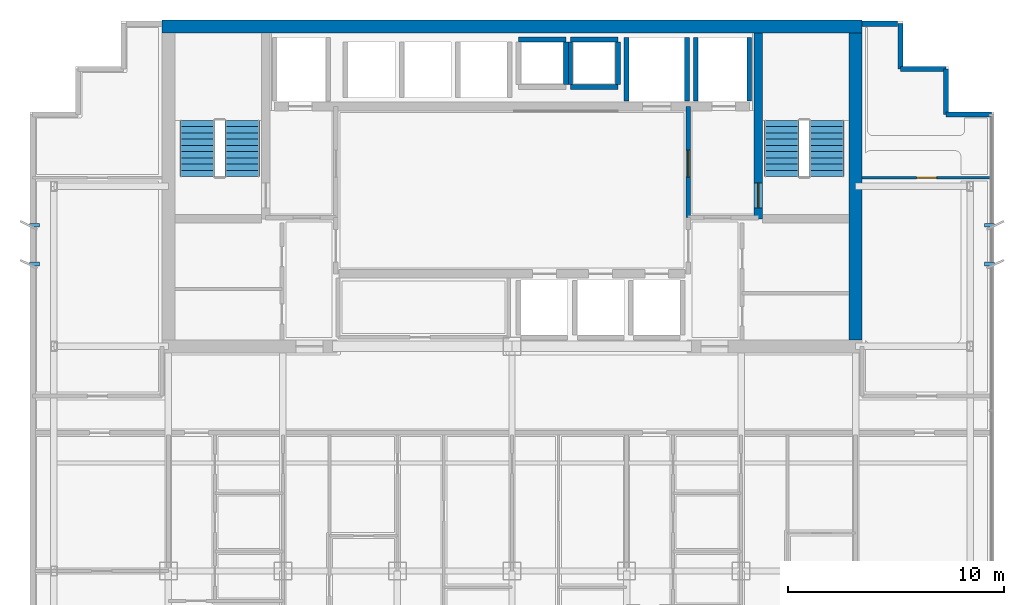
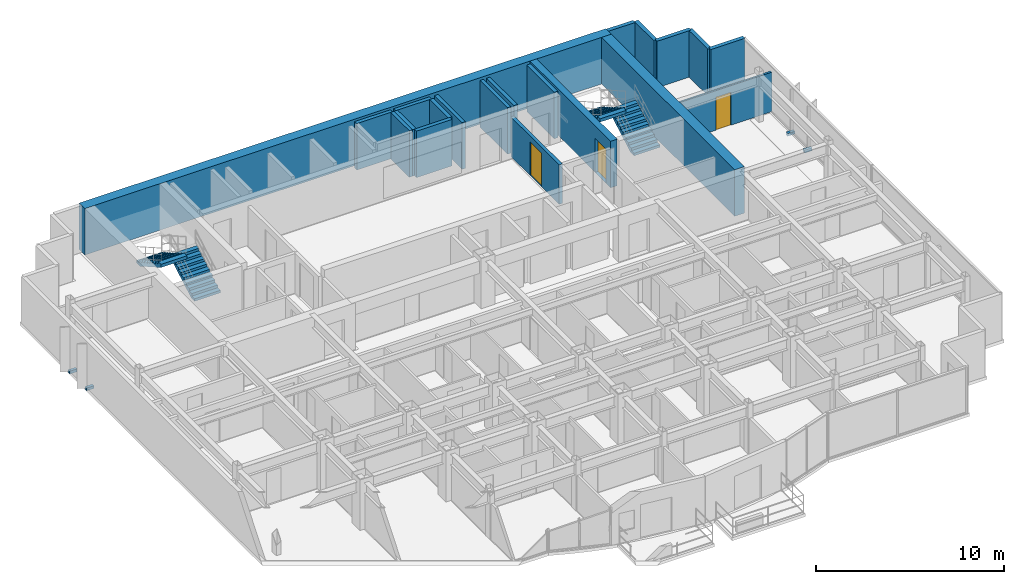
# One storey, part 11 of 13: 20 walls, 4 discrete accessories, 4 stair flights, 3 doors, 3 openings, 2 elements without a shape of their own.
"""IFC4 building model written with IfcOpenShell, lengths in metres."""

from ifc_helpers import new_model, si_unit, direction, frame, frame_2d, origin, origin_2d, place, context, subcontext, project, spatial, polyline, rectangle, outline, extrude, source, transform, mapped, material, layer, layer_set, type_object, element, fill, aggregate, save


model = new_model("IFC4")

# Units and contexts
model_context = context("Model", 3, precision=1e-05, world=origin(), true_north=direction((0.0, 1.0)))
body_context = subcontext(model_context, "Body", "Model", "MODEL_VIEW")
ifc_project = project(units=[si_unit("LENGTHUNIT", "METRE"), si_unit("AREAUNIT", "SQUARE_METRE"), si_unit("VOLUMEUNIT", "CUBIC_METRE"), si_unit("PLANEANGLEUNIT", "RADIAN"), si_unit("MASSUNIT", "GRAM", prefix="KILO")], contexts=[model_context])

# Site, building, storey
site_placement = place(None, origin())
site = spatial("IfcSite", under=ifc_project, at=site_placement, CompositionType="ELEMENT")
building_placement = place(site_placement, origin())
building = spatial("IfcBuilding", under=site, at=building_placement, Name="Qianlan Lanfeng Residences", CompositionType="ELEMENT")
storey_placement = place(building_placement, frame((0.0, 0.0, 182.10009765625)))
storey = spatial("IfcBuildingStorey", under=building, at=storey_placement, Name="L50", CompositionType="ELEMENT", Elevation=182.10009765625)

# Wall, opening, door
ifc_material_1 = material(Name="Concrete C56", Category="concrete")
ifc_layer_1 = layer(ifc_material_1, 0.39990234375)
ifc_layer_set_1 = layer_set([ifc_layer_1], Name="Concrete C56")
wall_type_1 = type_object("IfcWallType", Name="CW-RC-400", PredefinedType="SHEAR", material=ifc_layer_set_1)
wall_1_placement = place(storey_placement, frame((37.89990234375, 31.10009765625, 0.0), z_axis=(0.0, 0.0, 1.0), x_axis=(0.0, 1.0, 0.0)))
wall_1 = element("IfcWall", 1, at=wall_1_placement, inside=storey, type_object=wall_type_1, Name="L50 Core Shear Wall ST2W", PredefinedType="SHEAR", context=body_context, shape_type="SweptSolid", body=[
    extrude(rectangle(XDim=8.599853515625, YDim=0.39990234375, at=frame_2d((4.2998046875, 0.0))), origin(), (0.0, 0.0, 1.0), 3.02978515625),
])
opening_1_placement = place(wall_1_placement, frame((0.510009765625, 0.0, 0.0)))
opening_1 = element("IfcOpeningElement", 2, at=opening_1_placement, cuts=wall_1, Name="Opening L50-D08", PredefinedType="OPENING", context=body_context, shape_type="SweptSolid", body=[
    extrude(rectangle(XDim=1.14990234375, YDim=2.199951171875, at=frame_2d((0.574951171875, 1.10009765625))), frame((0.0, 0.2099609375, 0.0), z_axis=(0.0, -1.0, 0.0), x_axis=(1.0, 0.0, 0.0)), (0.0, 0.0, 1.0), 0.419921875),
])
ifc_material_2 = material(Name="Painted Galvanised Steel Fire Door", Category="steel")
door_type_1 = type_object("IfcDoorType", Name="DT-ST1", OperationType="NOTDEFINED", PredefinedType="DOOR", material=ifc_material_2)
door_1_placement = place(opening_1_placement, origin())
door_1 = element("IfcDoor", 3, at=door_1_placement, inside=storey, type_object=door_type_1, Name="L50 Exit Stair ST-2 Door L50-D08 (DT-ST1)", OperationType="SINGLE_SWING_RIGHT", OverallHeight=2.199951171875, OverallWidth=1.14990234375, PredefinedType="DOOR", context=body_context, shape_type="SweptSolid", body=[
    extrude(rectangle(XDim=1.14990234375, YDim=2.199951171875, at=frame_2d((0.574951171875, 1.10009765625))), frame((0.0, 0.02490234375, 0.0), z_axis=(0.0, -1.0, 0.0), x_axis=(1.0, 0.0, 0.0)), (0.0, 0.0, 1.0), 0.050048828125),
])
fill(opening_1, door_1)

# Walls
ifc_layer_2 = layer(ifc_material_1, 0.60009765625)
ifc_layer_set_2 = layer_set([ifc_layer_2], Name="Concrete C56")
wall_type_2 = type_object("IfcWallType", Name="CW-RC-600", PredefinedType="SHEAR", material=ifc_layer_set_2)
wall_2_placement = place(storey_placement, frame((10.300048828125, 40.0, 0.0), z_axis=(0.0, 0.0, 1.0), x_axis=(1.0, 0.0, 0.0)))
element("IfcWall", 4, at=wall_2_placement, inside=storey, type_object=wall_type_2, Name="L50 Core Shear Wall N", PredefinedType="SHEAR", context=body_context, shape_type="SweptSolid", body=[
    extrude(rectangle(XDim=32.39990234375, YDim=0.60009765625, at=frame_2d((16.199951171875, 0.0))), origin(), (0.0, 0.0, 1.0), 3.02978515625),
])
wall_3_placement = place(storey_placement, frame((42.39990234375, 25.5, 0.0), z_axis=(0.0, 0.0, 1.0), x_axis=(0.0, 1.0, 0.0)))
element("IfcWall", 5, at=wall_3_placement, inside=storey, type_object=wall_type_2, Name="L50 Core Shear Wall E", PredefinedType="SHEAR", context=body_context, shape_type="SweptSolid", body=[
    extrude(rectangle(XDim=14.199951171875, YDim=0.60009765625, at=frame_2d((7.10009765625, 0.0))), origin(), (0.0, 0.0, 1.0), 3.02978515625),
])
ifc_material_3 = material(Name="Concrete C42", Category="concrete")
ifc_layer_3 = layer(ifc_material_3, 0.239990234375)
ifc_layer_set_3 = layer_set([ifc_layer_3], Name="Concrete C42")
wall_type_3 = type_object("IfcWallType", Name="EW-240", PredefinedType="SOLIDWALL", material=ifc_layer_set_3)
wall_4_placement = place(storey_placement, frame((48.679931640625, 35.929931640625, 0.0), z_axis=(0.0, 0.0, 1.0), x_axis=(-1.0, 0.0, 0.0)))
element("IfcWall", 6, at=wall_4_placement, inside=storey, type_object=wall_type_3, Name="L50 Exterior Facade Spandrel Wall 11", PredefinedType="SOLIDWALL", context=body_context, shape_type="SweptSolid", body=[
    extrude(rectangle(XDim=2.099853515625, YDim=0.239990234375, at=frame_2d((1.0498046875, 0.0))), origin(), (0.0, 0.0, 1.0), 3.02978515625),
])
for number, where, z_axis, x_axis, name in (
    (7, (46.580078125, 35.929931640625, 0.0), (0.0, 0.0, 1.0), (0.0, 1.0, 0.0), "L50 Exterior Facade Spandrel Wall 12"),
    (8, (46.580078125, 38.030029296875, 0.0), (0.0, 0.0, 1.0), (-1.0, 0.0, 0.0), "L50 Exterior Facade Spandrel Wall 13"),
):
    element("IfcWall", number, at=place(storey_placement, frame(where, z_axis=z_axis, x_axis=x_axis)), inside=storey, type_object=wall_type_3, Name=name, PredefinedType="SOLIDWALL", context=body_context, shape_type="SweptSolid", body=[
        extrude(rectangle(XDim=2.10009765625, YDim=0.239990234375, at=frame_2d((1.050048828125, 0.0))), origin(), (0.0, 0.0, 1.0), 3.02978515625),
    ])
wall_5_placement = place(storey_placement, frame((44.47998046875, 38.030029296875, 0.0), z_axis=(0.0, 0.0, 1.0), x_axis=(0.0, 1.0, 0.0)))
element("IfcWall", 9, at=wall_5_placement, inside=storey, type_object=wall_type_3, Name="L50 Exterior Facade Spandrel Wall 14", PredefinedType="SOLIDWALL", context=body_context, shape_type="SweptSolid", body=[
    extrude(rectangle(XDim=2.099853515625, YDim=0.239990234375, at=frame_2d((1.0498046875, 0.0))), origin(), (0.0, 0.0, 1.0), 3.02978515625),
])
wall_6_placement = place(storey_placement, frame((44.35009765625, 40.1298828125, 0.0), z_axis=(0.0, 0.0, 1.0), x_axis=(-1.0, 0.0, 0.0)))
element("IfcWall", 10, at=wall_6_placement, inside=storey, type_object=wall_type_3, Name="L50 North Wing Exterior Wall E", PredefinedType="SOLIDWALL", context=body_context, shape_type="SweptSolid", body=[
    extrude(rectangle(XDim=1.650146484375, YDim=0.239990234375, at=frame_2d((0.8251953125, 0.0))), origin(), (0.0, 0.0, 1.0), 3.02978515625),
])

# Wall, opening, door
ifc_material_4 = material(Name="Moisture-Resistant Gypsum Partition 135 mm")
ifc_layer_4 = layer(ifc_material_4, 0.135009765625)
ifc_layer_set_4 = layer_set([ifc_layer_4], Name="Moisture-Resistant Gypsum Partition 135 mm")
wall_type_4 = type_object("IfcWallType", Name="PW-135", PredefinedType="PARTITIONING", material=ifc_layer_set_4)
wall_7_placement = place(storey_placement, frame((42.699951171875, 33.0, 0.0), z_axis=(0.0, 0.0, 1.0), x_axis=(1.0, 0.0, 0.0)))
wall_7 = element("IfcWall", 11, at=wall_7_placement, inside=storey, type_object=wall_type_4, Name="L50 EW North Wing Wall", PredefinedType="PARTITIONING", context=body_context, shape_type="SweptSolid", body=[
    extrude(rectangle(XDim=5.97998046875, YDim=0.135009765625, at=frame_2d((2.989990234375, 0.0))), origin(), (0.0, 0.0, 1.0), 2.56982421875),
])
opening_2_placement = place(wall_7_placement, frame((2.530029296875, 0.0, 0.0)))
opening_2 = element("IfcOpeningElement", 12, at=opening_2_placement, cuts=wall_7, Name="Opening L50-D50", PredefinedType="OPENING", context=body_context, shape_type="SweptSolid", body=[
    extrude(rectangle(XDim=0.919921875, YDim=2.14990234375, at=frame_2d((0.4599609375, 1.074951171875))), frame((0.0, 0.07763671875, 0.0), z_axis=(0.0, -1.0, 0.0), x_axis=(1.0, 0.0, 0.0)), (0.0, 0.0, 1.0), 0.155029296875),
])
ifc_material_5 = material(Name="Glazed Timber Kitchen/Study Door", Category="wood")
door_type_2 = type_object("IfcDoorType", Name="DT-INT", OperationType="NOTDEFINED", PredefinedType="DOOR", material=ifc_material_5)
door_2_placement = place(opening_2_placement, origin())
door_2 = element("IfcDoor", 13, at=door_2_placement, inside=storey, type_object=door_type_2, Name="L50 EW Inner Salon Door L50-D50 (DT-INT)", OperationType="SINGLE_SWING_LEFT", OverallHeight=2.14990234375, OverallWidth=0.919921875, PredefinedType="DOOR", context=body_context, shape_type="SweptSolid", body=[
    extrude(rectangle(XDim=0.919921875, YDim=2.14990234375, at=frame_2d((0.4599609375, 1.074951171875))), frame((0.0, 0.02490234375, 0.0), z_axis=(0.0, -1.0, 0.0), x_axis=(1.0, 0.0, 0.0)), (0.0, 0.0, 1.0), 0.050048828125),
])
fill(opening_2, door_2)

ifc_material_6 = material(Name="Autoclaved Aerated Concrete Blockwork 200 mm", Category="masonry")
ifc_layer_5 = layer(ifc_material_6, 0.199951171875)
ifc_layer_set_5 = layer_set([ifc_layer_5], Name="Autoclaved Aerated Concrete Blockwork 200 mm")
wall_type_5 = type_object("IfcWallType", Name="PW-200", PredefinedType="PARTITIONING", material=ifc_layer_set_5)
wall_8_placement = place(storey_placement, frame((34.64990234375, 31.14990234375, 0.0), z_axis=(0.0, 0.0, 1.0), x_axis=(0.0, 1.0, 0.0)))
wall_8 = element("IfcWall", 14, at=wall_8_placement, inside=storey, type_object=wall_type_5, Name="L50 Firefighting Lobby 2 West Wall", PredefinedType="PARTITIONING", context=body_context, shape_type="SweptSolid", body=[
    extrude(rectangle(XDim=5.150146484375, YDim=0.199951171875, at=frame_2d((2.5751953125, 0.0))), origin(), (0.0, 0.0, 1.0), 2.56982421875),
])
opening_3_placement = place(wall_8_placement, frame((1.875, 0.0, 0.0)))
opening_3 = element("IfcOpeningElement", 15, at=opening_3_placement, cuts=wall_8, Name="Opening L50-D06", PredefinedType="OPENING", context=body_context, shape_type="SweptSolid", body=[
    extrude(rectangle(XDim=1.25, YDim=2.199951171875, at=frame_2d((0.625, 1.10009765625))), frame((0.0, 0.10986328125, 0.0), z_axis=(0.0, -1.0, 0.0), x_axis=(1.0, 0.0, 0.0)), (0.0, 0.0, 1.0), 0.219970703125),
])
door_type_3 = type_object("IfcDoorType", Name="DT-FFL", OperationType="NOTDEFINED", PredefinedType="DOOR", material=ifc_material_2)
door_3_placement = place(opening_3_placement, origin())
door_3 = element("IfcDoor", 16, at=door_3_placement, inside=storey, type_object=door_type_3, Name="L50 Firefighting Lobby 2 Lift Lobby Door L50-D06 (DT-FFL)", OperationType="SINGLE_SWING_LEFT", OverallHeight=2.199951171875, OverallWidth=1.25, PredefinedType="DOOR", context=body_context, shape_type="SweptSolid", body=[
    extrude(rectangle(XDim=1.25, YDim=2.199951171875, at=frame_2d((0.625, 1.10009765625))), frame((0.0, 0.02490234375, 0.0), z_axis=(0.0, -1.0, 0.0), x_axis=(1.0, 0.0, 0.0)), (0.0, 0.0, 1.0), 0.050048828125),
])
fill(opening_3, door_3)

# Walls
ifc_material_7 = material(Name="Concrete C49", Category="concrete")
ifc_layer_6 = layer(ifc_material_7, 0.219970703125)
ifc_layer_set_6 = layer_set([ifc_layer_6], Name="Concrete C49")
wall_type_6 = type_object("IfcWallType", Name="SHW-220", PredefinedType="SOLIDWALL", material=ifc_layer_set_6)
for number, where, z_axis, x_axis, name in (
    (17, (35.0, 36.550048828125, 0.0), (0.0, 0.0, 1.0), (0.0, 1.0, 0.0), "L50 Lift FFL-2 Shaft Wall W"),
    (18, (37.47998046875, 36.550048828125, 0.0), (0.0, 0.0, 1.0), (0.0, 1.0, 0.0), "L50 Lift FFL-2 Shaft Wall E"),
    (19, (31.800048828125, 36.550048828125, 0.0), (0.0, 0.0, 1.0), (0.0, 1.0, 0.0), "L50 Lift SVL-1 Shaft Wall W"),
    (20, (34.60009765625, 36.550048828125, 0.0), (0.0, 0.0, 1.0), (0.0, 1.0, 0.0), "L50 Lift SVL-1 Shaft Wall E"),
):
    element("IfcWall", number, at=place(storey_placement, frame(where, z_axis=z_axis, x_axis=x_axis)), inside=storey, type_object=wall_type_6, Name=name, PredefinedType="SOLIDWALL", context=body_context, shape_type="SweptSolid", body=[
        extrude(rectangle(XDim=2.929931640625, YDim=0.219970703125, at=frame_2d((1.46484375, 0.0))), origin(), (0.0, 0.0, 1.0), 3.02978515625),
    ])
wall_9_placement = place(storey_placement, frame((29.0, 37.31005859375, 0.0), z_axis=(0.0, 0.0, 1.0), x_axis=(0.0, 1.0, 0.0)))
element("IfcWall", 21, at=wall_9_placement, inside=storey, type_object=wall_type_6, Name="L50 MEP Riser MEP-R1 Shaft Wall E", PredefinedType="SOLIDWALL", context=body_context, shape_type="SweptSolid", body=[
    extrude(rectangle(XDim=1.97998046875, YDim=0.219970703125, at=frame_2d((0.989990234375, 0.0))), origin(), (0.0, 0.0, 1.0), 3.02978515625),
])
wall_10_placement = place(storey_placement, frame((26.800048828125, 39.39990234375, 0.0), z_axis=(0.0, 0.0, 1.0), x_axis=(1.0, 0.0, 0.0)))
element("IfcWall", 22, at=wall_10_placement, inside=storey, type_object=wall_type_6, Name="L50 MEP Riser MEP-R1 Shaft Wall N", PredefinedType="SOLIDWALL", context=body_context, shape_type="SweptSolid", body=[
    extrude(rectangle(XDim=2.199951171875, YDim=0.219970703125, at=frame_2d((1.10009765625, 0.0))), origin(), (0.0, 0.0, 1.0), 3.02978515625),
])
for number, where, z_axis, x_axis, name in (
    (23, (29.199951171875, 37.31005859375, 0.0), (0.0, 0.0, 1.0), (0.0, 1.0, 0.0), "L50 MEP Riser MEP-R2 Shaft Wall W"),
    (24, (31.39990234375, 37.31005859375, 0.0), (0.0, 0.0, 1.0), (0.0, 1.0, 0.0), "L50 MEP Riser MEP-R2 Shaft Wall E"),
):
    element("IfcWall", number, at=place(storey_placement, frame(where, z_axis=z_axis, x_axis=x_axis)), inside=storey, type_object=wall_type_6, Name=name, PredefinedType="SOLIDWALL", context=body_context, shape_type="SweptSolid", body=[
        extrude(rectangle(XDim=1.97998046875, YDim=0.219970703125, at=frame_2d((0.989990234375, 0.0))), origin(), (0.0, 0.0, 1.0), 3.02978515625),
    ])
for number, where, z_axis, x_axis, name in (
    (25, (29.199951171875, 39.39990234375, 0.0), (0.0, 0.0, 1.0), (1.0, 0.0, 0.0), "L50 MEP Riser MEP-R2 Shaft Wall N"),
    (26, (29.199951171875, 37.199951171875, 0.0), (0.0, 0.0, 1.0), (1.0, 0.0, 0.0), "L50 MEP Riser MEP-R2 Shaft Wall S"),
):
    element("IfcWall", number, at=place(storey_placement, frame(where, z_axis=z_axis, x_axis=x_axis)), inside=storey, type_object=wall_type_6, Name=name, PredefinedType="SOLIDWALL", context=body_context, shape_type="SweptSolid", body=[
        extrude(rectangle(XDim=2.199951171875, YDim=0.219970703125, at=frame_2d((1.10009765625, 0.0))), origin(), (0.0, 0.0, 1.0), 3.02978515625),
    ])

# Stair, stair flights
stair_type = type_object("IfcStairType", Name="STR-MAIN", PredefinedType="HALF_TURN_STAIR", material=ifc_material_3)
stair_1_placement = place(storey_placement, origin())
stair_1 = element("IfcStair", 27, at=stair_1_placement, inside=storey, type_object=stair_type, Name="L50 Exit Stair ST-1", PredefinedType="HALF_TURN_STAIR")
stair_flight_type = type_object("IfcStairFlightType", Name="FLT-1720", PredefinedType="STRAIGHT", material=ifc_material_3)
stair_flight_1_placement = place(storey_placement, frame((14.02001953125, 33.050048828125, 0.0), z_axis=(0.0, 0.0, 1.0), x_axis=(0.0, 1.0, 0.0)))
stair_flight_1 = element("IfcStairFlight", 28, at=stair_flight_1_placement, type_object=stair_flight_type, Name="ST-1 flight 1", NumberOfRisers=10, NumberOfTreads=9, PredefinedType="STRAIGHT", RiserHeight=0.165, TreadLength=0.29, context=body_context, shape_type="SweptSolid", body=[
    extrude(outline(polyline([(0.0, 0.0), (0.0, 0.1650390625), (0.2900390625, 0.1650390625), (0.2900390625, 0.330078125), (0.580078125, 0.330078125), (0.580078125, 0.4951171875), (0.8701171875, 0.4951171875), (0.8701171875, 0.659912109375), (1.159912109375, 0.659912109375), (1.159912109375, 0.824951171875), (1.449951171875, 0.824951171875), (1.449951171875, 0.989990234375), (1.739990234375, 0.989990234375), (1.739990234375, 1.155029296875), (2.030029296875, 1.155029296875), (2.030029296875, 1.320068359375), (2.320068359375, 1.320068359375), (2.320068359375, 1.485107421875), (2.610107421875, 1.485107421875), (2.610107421875, 1.64990234375), (2.610107421875, 1.278076171875), (0.36376953125, 0.0), (0.0, 0.0)])), frame((0.0, 0.800048828125, 0.0), z_axis=(0.0, -1.0, 0.0), x_axis=(1.0, 0.0, 0.0)), (0.0, 0.0, 1.0), 1.60009765625),
])
stair_flight_2_placement = place(storey_placement, frame((11.93994140625, 35.659912109375, 1.64990234375), z_axis=(0.0, 0.0, 1.0), x_axis=(0.0, -1.0, 0.0)))
stair_flight_2 = element("IfcStairFlight", 29, at=stair_flight_2_placement, type_object=stair_flight_type, Name="ST-1 flight 2", NumberOfRisers=10, NumberOfTreads=9, PredefinedType="STRAIGHT", RiserHeight=0.165, TreadLength=0.29, context=body_context, shape_type="SweptSolid", body=[
    extrude(outline(polyline([(0.0, 0.0), (0.0, 0.1650390625), (0.2900390625, 0.1650390625), (0.2900390625, 0.330078125), (0.580078125, 0.330078125), (0.580078125, 0.4951171875), (0.8701171875, 0.4951171875), (0.8701171875, 0.659912109375), (1.159912109375, 0.659912109375), (1.159912109375, 0.824951171875), (1.449951171875, 0.824951171875), (1.449951171875, 0.989990234375), (1.739990234375, 0.989990234375), (1.739990234375, 1.155029296875), (2.030029296875, 1.155029296875), (2.030029296875, 1.320068359375), (2.320068359375, 1.320068359375), (2.320068359375, 1.485107421875), (2.610107421875, 1.485107421875), (2.610107421875, 1.64990234375), (2.610107421875, 1.278076171875), (0.36376953125, 0.0), (0.0, 0.0)])), frame((0.0, 0.800048828125, 0.0), z_axis=(0.0, -1.0, 0.0), x_axis=(1.0, 0.0, 0.0)), (0.0, 0.0, 1.0), 1.60009765625),
])
aggregate(stair_1, [stair_flight_1, stair_flight_2])

stair_2_placement = place(storey_placement, origin())
stair_2 = element("IfcStair", 30, at=stair_2_placement, inside=storey, type_object=stair_type, Name="L50 Exit Stair ST-2", PredefinedType="HALF_TURN_STAIR")
stair_flight_3_placement = place(storey_placement, frame((41.06005859375, 33.050048828125, 0.0), z_axis=(0.0, 0.0, 1.0), x_axis=(0.0, 1.0, 0.0)))
stair_flight_3 = element("IfcStairFlight", 31, at=stair_flight_3_placement, type_object=stair_flight_type, Name="ST-2 flight 1", NumberOfRisers=10, NumberOfTreads=9, PredefinedType="STRAIGHT", RiserHeight=0.165, TreadLength=0.29, context=body_context, shape_type="SweptSolid", body=[
    extrude(outline(polyline([(0.0, 0.0), (0.0, 0.1650390625), (0.2900390625, 0.1650390625), (0.2900390625, 0.330078125), (0.580078125, 0.330078125), (0.580078125, 0.4951171875), (0.8701171875, 0.4951171875), (0.8701171875, 0.659912109375), (1.159912109375, 0.659912109375), (1.159912109375, 0.824951171875), (1.449951171875, 0.824951171875), (1.449951171875, 0.989990234375), (1.739990234375, 0.989990234375), (1.739990234375, 1.155029296875), (2.030029296875, 1.155029296875), (2.030029296875, 1.320068359375), (2.320068359375, 1.320068359375), (2.320068359375, 1.485107421875), (2.610107421875, 1.485107421875), (2.610107421875, 1.64990234375), (2.610107421875, 1.278076171875), (0.36376953125, 0.0), (0.0, 0.0)])), frame((0.0, 0.800048828125, 0.0), z_axis=(0.0, -1.0, 0.0), x_axis=(1.0, 0.0, 0.0)), (0.0, 0.0, 1.0), 1.60009765625),
])
stair_flight_4_placement = place(storey_placement, frame((38.97998046875, 35.659912109375, 1.64990234375), z_axis=(0.0, 0.0, 1.0), x_axis=(0.0, -1.0, 0.0)))
stair_flight_4 = element("IfcStairFlight", 32, at=stair_flight_4_placement, type_object=stair_flight_type, Name="ST-2 flight 2", NumberOfRisers=10, NumberOfTreads=9, PredefinedType="STRAIGHT", RiserHeight=0.165, TreadLength=0.29, context=body_context, shape_type="SweptSolid", body=[
    extrude(outline(polyline([(0.0, 0.0), (0.0, 0.1650390625), (0.2900390625, 0.1650390625), (0.2900390625, 0.330078125), (0.580078125, 0.330078125), (0.580078125, 0.4951171875), (0.8701171875, 0.4951171875), (0.8701171875, 0.659912109375), (1.159912109375, 0.659912109375), (1.159912109375, 0.824951171875), (1.449951171875, 0.824951171875), (1.449951171875, 0.989990234375), (1.739990234375, 0.989990234375), (1.739990234375, 1.155029296875), (2.030029296875, 1.155029296875), (2.030029296875, 1.320068359375), (2.320068359375, 1.320068359375), (2.320068359375, 1.485107421875), (2.610107421875, 1.485107421875), (2.610107421875, 1.64990234375), (2.610107421875, 1.278076171875), (0.36376953125, 0.0), (0.0, 0.0)])), frame((0.0, 0.800048828125, 0.0), z_axis=(0.0, -1.0, 0.0), x_axis=(1.0, 0.0, 0.0)), (0.0, 0.0, 1.0), 1.60009765625),
])
aggregate(stair_2, [stair_flight_3, stair_flight_4])

# Discrete accessories
ifc_material_8 = material(Name="Stainless Steel Facade Bracket", Category="steel")
discrete_accessory_type = type_object("IfcDiscreteAccessoryType", Name="BRK-SS-350", PredefinedType="BRACKET", material=ifc_material_8)
shared_shape = source(origin(), body_context, "Body", "SweptSolid", [
    extrude(rectangle(XDim=0.449951171875, YDim=0.179931640625, at=origin_2d()), origin(), (0.0, 0.0, 1.0), 0.179931640625),
])
for number, where, z_axis, x_axis, name in (
    (33, (4.39990234375, 29.0, -0.14990234375), (0.0, 0.0, 1.0), (1.0, 0.0, 0.0), "L50 Raked Solar Fin Support Bracket W1"),
    (34, (4.39990234375, 30.800048828125, -0.14990234375), (0.0, 0.0, 1.0), (1.0, 0.0, 0.0), "L50 Raked Solar Fin Support Bracket W2"),
    (35, (48.60009765625, 29.0, -0.14990234375), (0.0, 0.0, 1.0), (1.0, 0.0, 0.0), "L50 Raked Solar Fin Support Bracket E1"),
    (36, (48.60009765625, 30.800048828125, -0.14990234375), (0.0, 0.0, 1.0), (1.0, 0.0, 0.0), "L50 Raked Solar Fin Support Bracket E2"),
):
    element("IfcDiscreteAccessory", number, at=place(storey_placement, frame(where, z_axis=z_axis, x_axis=x_axis)), inside=storey, type_object=discrete_accessory_type, Name=name, PredefinedType="BRACKET", context=body_context, shape_type="MappedRepresentation", body=[
        mapped(shared_shape, transform((0.0, 0.0, 0.0), scale=1.0)),
    ])

save(model, "model.ifc")
